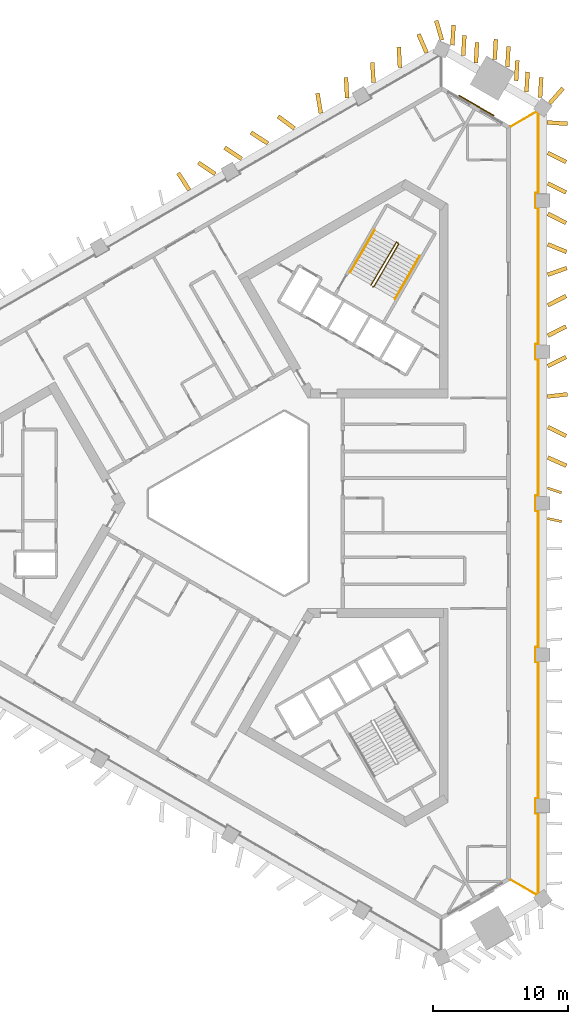
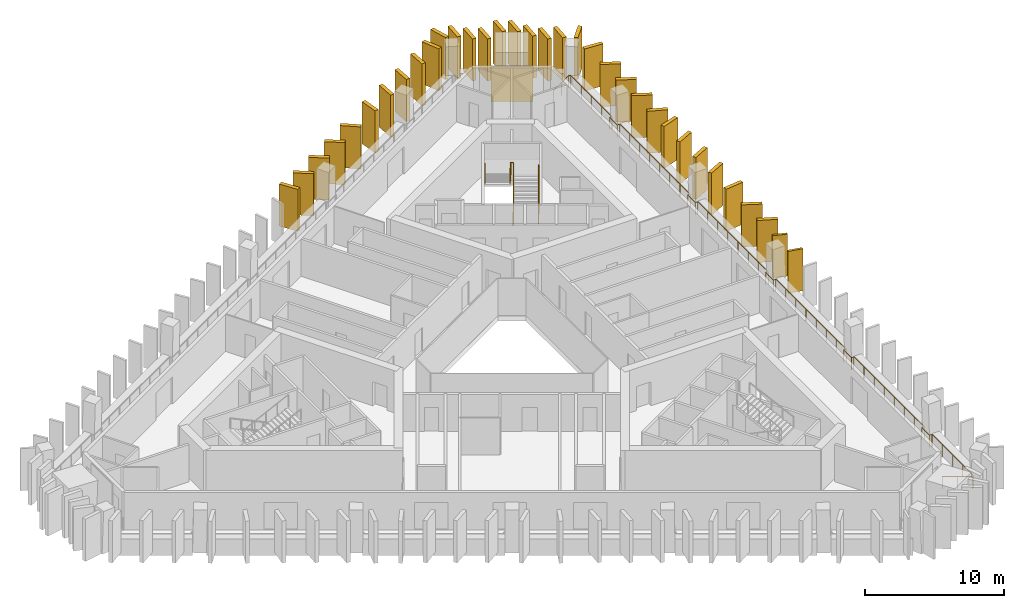
# One storey, part 10 of 10: 34 shading devices, 4 railings, 1 covering.
"""IFC4 building model written with IfcOpenShell, lengths in metres."""

from ifc_helpers import new_model, si_unit, direction, frame, frame_2d, origin, origin_2d, place, context, subcontext, project, spatial, rectangle, circle, extrude, material, layer, layer_set, type_object, element, save


model = new_model("IFC4")

# Units and contexts
model_context = context("Model", 3, precision=1e-05, world=origin(), true_north=direction((0.0, 1.0)))
body_context = subcontext(model_context, "Body", "Model", "MODEL_VIEW")
ifc_project = project(units=[si_unit("LENGTHUNIT", "METRE"), si_unit("AREAUNIT", "SQUARE_METRE"), si_unit("VOLUMEUNIT", "CUBIC_METRE"), si_unit("PLANEANGLEUNIT", "RADIAN"), si_unit("MASSUNIT", "GRAM", prefix="KILO")], contexts=[model_context])

# Site, building, storey
site_placement = place(None, origin())
site = spatial("IfcSite", under=ifc_project, at=site_placement, CompositionType="ELEMENT")
building_placement = place(site_placement, origin())
building = spatial("IfcBuilding", under=site, at=building_placement, Name="Jabali Bay Hotel Tower and Convention Centre", CompositionType="ELEMENT")
storey_placement = place(building_placement, frame((0.0, 0.0, 136.39990234375)))
storey = spatial("IfcBuildingStorey", under=building, at=storey_placement, Name="L33", CompositionType="ELEMENT", Elevation=136.39990234375)

# Railing
ifc_material_1 = material(Name="Glass", Category="glass")
railing_type_1 = type_object("IfcRailingType", Name="Loggia glass guard 1100", PredefinedType="BALUSTRADE", material=ifc_material_1)
railing_1_placement = place(storey_placement, frame((94.552001953125, 107.88232421875, 0.0)))
element("IfcRailing", 1, at=railing_1_placement, inside=storey, type_object=railing_type_1, Name="Loggia glass guard L33", PredefinedType="BALUSTRADE", context=body_context, shape_type="SweptSolid", body=[
    extrude(circle(Radius=0.02490234375, at=origin_2d()), frame((0.0, 0.0, 1.0751953125), z_axis=(0.866007213464, 0.500031505235, 0.0), x_axis=(-0.495753666391, 0.858598401702, 0.13052619222)), (0.0, 0.0, 1.0), 2.165283203125),
    extrude(circle(Radius=0.02490234375, at=origin_2d()), frame((1.875244140625, 1.082763671875, 1.0751953125), z_axis=(0.800939455023, -0.598745346025, 0.0), x_axis=(0.593622996588, 0.794087306954, 0.13052619222)), (0.0, 0.0, 1.0), 0.15576171875),
    extrude(circle(Radius=0.02490234375, at=origin_2d()), frame((2.0, 0.989501953125, 1.0751953125), z_axis=(0.0, -1.0, 0.0), x_axis=(0.991444861374, 0.0, 0.13052619222)), (0.0, 0.0, 1.0), 5.9111328125),
    extrude(circle(Radius=0.02490234375, at=origin_2d()), frame((2.0, -4.921630859375, 1.0751953125), z_axis=(-1.0, 0.0, 0.0), x_axis=(0.0, -0.991444861374, 0.13052619222)), (0.0, 0.0, 1.0), 0.2001953125),
    extrude(circle(Radius=0.02490234375, at=origin_2d()), frame((1.7998046875, -4.921630859375, 1.0751953125), z_axis=(0.0, -1.0, 0.0), x_axis=(0.991444861374, 0.0, 0.13052619222)), (0.0, 0.0, 1.0), 1.10009765625),
    extrude(circle(Radius=0.02490234375, at=origin_2d()), frame((1.7998046875, -6.021728515625, 1.0751953125), z_axis=(1.0, 0.0, 0.0), x_axis=(0.0, 0.991444861374, 0.13052619222)), (0.0, 0.0, 1.0), 0.2001953125),
    extrude(circle(Radius=0.02490234375, at=origin_2d()), frame((2.0, -6.021728515625, 1.0751953125), z_axis=(0.0, -1.0, 0.0), x_axis=(0.991444861374, 0.0, 0.13052619222)), (0.0, 0.0, 1.0), 10.105224609375),
    extrude(circle(Radius=0.02490234375, at=origin_2d()), frame((2.0, -16.126953125, 1.0751953125), z_axis=(-1.0, 0.0, 0.0), x_axis=(0.0, -0.991444861374, 0.13052619222)), (0.0, 0.0, 1.0), 0.2001953125),
    extrude(circle(Radius=0.02490234375, at=origin_2d()), frame((1.7998046875, -16.126953125, 1.0751953125), z_axis=(0.0, -1.0, 0.0), x_axis=(0.991444861374, 0.0, 0.13052619222)), (0.0, 0.0, 1.0), 1.10009765625),
    extrude(circle(Radius=0.02490234375, at=origin_2d()), frame((1.7998046875, -17.22705078125, 1.0751953125), z_axis=(1.0, 0.0, 0.0), x_axis=(0.0, 0.991444861374, 0.13052619222)), (0.0, 0.0, 1.0), 0.2001953125),
    extrude(circle(Radius=0.02490234375, at=origin_2d()), frame((2.0, -17.22705078125, 1.0751953125), z_axis=(0.0, -1.0, 0.0), x_axis=(0.991444861374, 0.0, 0.13052619222)), (0.0, 0.0, 1.0), 10.105224609375),
    extrude(circle(Radius=0.02490234375, at=origin_2d()), frame((2.0, -27.332275390625, 1.0751953125), z_axis=(-1.0, 0.0, 0.0), x_axis=(0.0, -0.991444861374, 0.13052619222)), (0.0, 0.0, 1.0), 0.2001953125),
    extrude(circle(Radius=0.02490234375, at=origin_2d()), frame((1.7998046875, -27.332275390625, 1.0751953125), z_axis=(0.0, -1.0, 0.0), x_axis=(0.991444861374, 0.0, 0.13052619222)), (0.0, 0.0, 1.0), 1.10009765625),
    extrude(circle(Radius=0.02490234375, at=origin_2d()), frame((1.7998046875, -28.432373046875, 1.0751953125), z_axis=(1.0, 0.0, 0.0), x_axis=(0.0, 0.991444861374, 0.13052619222)), (0.0, 0.0, 1.0), 0.2001953125),
    extrude(circle(Radius=0.02490234375, at=origin_2d()), frame((2.0, -28.432373046875, 1.0751953125), z_axis=(0.0, -1.0, 0.0), x_axis=(0.991444861374, 0.0, 0.13052619222)), (0.0, 0.0, 1.0), 10.105224609375),
    extrude(circle(Radius=0.02490234375, at=origin_2d()), frame((2.0, -38.53759765625, 1.0751953125), z_axis=(-1.0, 0.0, 0.0), x_axis=(0.0, -0.991444861374, 0.13052619222)), (0.0, 0.0, 1.0), 0.2001953125),
    extrude(circle(Radius=0.02490234375, at=origin_2d()), frame((1.7998046875, -38.53759765625, 1.0751953125), z_axis=(0.0, -1.0, 0.0), x_axis=(0.991444861374, 0.0, 0.13052619222)), (0.0, 0.0, 1.0), 1.10009765625),
    extrude(circle(Radius=0.02490234375, at=origin_2d()), frame((1.7998046875, -39.6376953125, 1.0751953125), z_axis=(1.0, 0.0, 0.0), x_axis=(0.0, 0.991444861374, 0.13052619222)), (0.0, 0.0, 1.0), 0.2001953125),
    extrude(circle(Radius=0.02490234375, at=origin_2d()), frame((2.0, -39.6376953125, 1.0751953125), z_axis=(0.0, -1.0, 0.0), x_axis=(0.991444861374, 0.0, 0.13052619222)), (0.0, 0.0, 1.0), 10.105224609375),
    extrude(circle(Radius=0.02490234375, at=origin_2d()), frame((2.0, -49.742919921875, 1.0751953125), z_axis=(-1.0, 0.0, 0.0), x_axis=(0.0, -0.991444861374, 0.13052619222)), (0.0, 0.0, 1.0), 0.2001953125),
    extrude(circle(Radius=0.02490234375, at=origin_2d()), frame((1.7998046875, -49.742919921875, 1.0751953125), z_axis=(0.0, -1.0, 0.0), x_axis=(0.991444861374, 0.0, 0.13052619222)), (0.0, 0.0, 1.0), 1.10009765625),
    extrude(circle(Radius=0.02490234375, at=origin_2d()), frame((1.7998046875, -50.843017578125, 1.0751953125), z_axis=(1.0, 0.0, 0.0), x_axis=(0.0, 0.991444861374, 0.13052619222)), (0.0, 0.0, 1.0), 0.2001953125),
    extrude(circle(Radius=0.02490234375, at=origin_2d()), frame((2.0, -50.843017578125, 1.0751953125), z_axis=(0.0, -1.0, 0.0), x_axis=(0.991444861374, 0.0, 0.13052619222)), (0.0, 0.0, 1.0), 5.9111328125),
    extrude(circle(Radius=0.02490234375, at=origin_2d()), frame((2.0, -56.754150390625, 1.0751953125), z_axis=(-0.800939455023, -0.598745346025, 0.0), x_axis=(0.593622996588, -0.794087306954, 0.13052619222)), (0.0, 0.0, 1.0), 0.15576171875),
    extrude(circle(Radius=0.02490234375, at=origin_2d()), frame((1.875244140625, -56.847412109375, 1.0751953125), z_axis=(-0.866007213464, 0.500031505235, 0.0), x_axis=(-0.495753666391, -0.858598401702, 0.13052619222)), (0.0, 0.0, 1.0), 2.165283203125),
    extrude(circle(Radius=0.02001953125, at=origin_2d()), origin(), (0.0, 0.0, 1.0), 1.050048828125),
    extrude(circle(Radius=0.02001953125, at=origin_2d()), frame((0.9375, 0.54150390625, 0.0)), (0.0, 0.0, 1.0), 1.050048828125),
    extrude(circle(Radius=0.02001953125, at=origin_2d()), frame((1.875244140625, 1.082763671875, 0.0)), (0.0, 0.0, 1.0), 1.050048828125),
    extrude(circle(Radius=0.02001953125, at=origin_2d()), frame((2.0, 0.989501953125, 0.0)), (0.0, 0.0, 1.0), 1.050048828125),
    extrude(circle(Radius=0.02001953125, at=origin_2d()), frame((2.0, -0.48828125, 0.0)), (0.0, 0.0, 1.0), 1.050048828125),
    extrude(circle(Radius=0.02001953125, at=origin_2d()), frame((2.0, -1.966064453125, 0.0)), (0.0, 0.0, 1.0), 1.050048828125),
    extrude(circle(Radius=0.02001953125, at=origin_2d()), frame((2.0, -3.44384765625, 0.0)), (0.0, 0.0, 1.0), 1.050048828125),
    extrude(circle(Radius=0.02001953125, at=origin_2d()), frame((2.0, -4.921630859375, 0.0)), (0.0, 0.0, 1.0), 1.050048828125),
    extrude(circle(Radius=0.02001953125, at=origin_2d()), frame((1.7998046875, -4.921630859375, 0.0)), (0.0, 0.0, 1.0), 1.050048828125),
    extrude(circle(Radius=0.02001953125, at=origin_2d()), frame((1.7998046875, -6.021728515625, 0.0)), (0.0, 0.0, 1.0), 1.050048828125),
    extrude(circle(Radius=0.02001953125, at=origin_2d()), frame((2.0, -6.021728515625, 0.0)), (0.0, 0.0, 1.0), 1.050048828125),
    extrude(circle(Radius=0.02001953125, at=origin_2d()), frame((2.0, -7.46533203125, 0.0)), (0.0, 0.0, 1.0), 1.050048828125),
    extrude(circle(Radius=0.02001953125, at=origin_2d()), frame((2.0, -8.908935546875, 0.0)), (0.0, 0.0, 1.0), 1.050048828125),
    extrude(circle(Radius=0.02001953125, at=origin_2d()), frame((2.0, -10.3525390625, 0.0)), (0.0, 0.0, 1.0), 1.050048828125),
    extrude(circle(Radius=0.02001953125, at=origin_2d()), frame((2.0, -11.796142578125, 0.0)), (0.0, 0.0, 1.0), 1.050048828125),
    extrude(circle(Radius=0.02001953125, at=origin_2d()), frame((2.0, -13.23974609375, 0.0)), (0.0, 0.0, 1.0), 1.050048828125),
    extrude(circle(Radius=0.02001953125, at=origin_2d()), frame((2.0, -14.683349609375, 0.0)), (0.0, 0.0, 1.0), 1.050048828125),
    extrude(circle(Radius=0.02001953125, at=origin_2d()), frame((2.0, -16.126953125, 0.0)), (0.0, 0.0, 1.0), 1.050048828125),
    extrude(circle(Radius=0.02001953125, at=origin_2d()), frame((1.7998046875, -16.126953125, 0.0)), (0.0, 0.0, 1.0), 1.050048828125),
    extrude(circle(Radius=0.02001953125, at=origin_2d()), frame((1.7998046875, -17.22705078125, 0.0)), (0.0, 0.0, 1.0), 1.050048828125),
    extrude(circle(Radius=0.02001953125, at=origin_2d()), frame((2.0, -17.22705078125, 0.0)), (0.0, 0.0, 1.0), 1.050048828125),
    extrude(circle(Radius=0.02001953125, at=origin_2d()), frame((2.0, -18.670654296875, 0.0)), (0.0, 0.0, 1.0), 1.050048828125),
    extrude(circle(Radius=0.02001953125, at=origin_2d()), frame((2.0, -20.1142578125, 0.0)), (0.0, 0.0, 1.0), 1.050048828125),
    extrude(circle(Radius=0.02001953125, at=origin_2d()), frame((2.0, -21.557861328125, 0.0)), (0.0, 0.0, 1.0), 1.050048828125),
    extrude(circle(Radius=0.02001953125, at=origin_2d()), frame((2.0, -23.00146484375, 0.0)), (0.0, 0.0, 1.0), 1.050048828125),
    extrude(circle(Radius=0.02001953125, at=origin_2d()), frame((2.0, -24.445068359375, 0.0)), (0.0, 0.0, 1.0), 1.050048828125),
    extrude(circle(Radius=0.02001953125, at=origin_2d()), frame((2.0, -25.888671875, 0.0)), (0.0, 0.0, 1.0), 1.050048828125),
    extrude(circle(Radius=0.02001953125, at=origin_2d()), frame((2.0, -27.332275390625, 0.0)), (0.0, 0.0, 1.0), 1.050048828125),
    extrude(circle(Radius=0.02001953125, at=origin_2d()), frame((1.7998046875, -27.332275390625, 0.0)), (0.0, 0.0, 1.0), 1.050048828125),
    extrude(circle(Radius=0.02001953125, at=origin_2d()), frame((1.7998046875, -28.432373046875, 0.0)), (0.0, 0.0, 1.0), 1.050048828125),
    extrude(circle(Radius=0.02001953125, at=origin_2d()), frame((2.0, -28.432373046875, 0.0)), (0.0, 0.0, 1.0), 1.050048828125),
    extrude(circle(Radius=0.02001953125, at=origin_2d()), frame((2.0, -29.8759765625, 0.0)), (0.0, 0.0, 1.0), 1.050048828125),
    extrude(circle(Radius=0.02001953125, at=origin_2d()), frame((2.0, -31.319580078125, 0.0)), (0.0, 0.0, 1.0), 1.050048828125),
    extrude(circle(Radius=0.02001953125, at=origin_2d()), frame((2.0, -32.76318359375, 0.0)), (0.0, 0.0, 1.0), 1.050048828125),
    extrude(circle(Radius=0.02001953125, at=origin_2d()), frame((2.0, -34.206787109375, 0.0)), (0.0, 0.0, 1.0), 1.050048828125),
    extrude(circle(Radius=0.02001953125, at=origin_2d()), frame((2.0, -35.650390625, 0.0)), (0.0, 0.0, 1.0), 1.050048828125),
    extrude(circle(Radius=0.02001953125, at=origin_2d()), frame((2.0, -37.093994140625, 0.0)), (0.0, 0.0, 1.0), 1.050048828125),
    extrude(circle(Radius=0.02001953125, at=origin_2d()), frame((2.0, -38.53759765625, 0.0)), (0.0, 0.0, 1.0), 1.050048828125),
    extrude(circle(Radius=0.02001953125, at=origin_2d()), frame((1.7998046875, -38.53759765625, 0.0)), (0.0, 0.0, 1.0), 1.050048828125),
    extrude(circle(Radius=0.02001953125, at=origin_2d()), frame((1.7998046875, -39.6376953125, 0.0)), (0.0, 0.0, 1.0), 1.050048828125),
    extrude(circle(Radius=0.02001953125, at=origin_2d()), frame((2.0, -39.6376953125, 0.0)), (0.0, 0.0, 1.0), 1.050048828125),
    extrude(circle(Radius=0.02001953125, at=origin_2d()), frame((2.0, -41.081298828125, 0.0)), (0.0, 0.0, 1.0), 1.050048828125),
    extrude(circle(Radius=0.02001953125, at=origin_2d()), frame((2.0, -42.52490234375, 0.0)), (0.0, 0.0, 1.0), 1.050048828125),
    extrude(circle(Radius=0.02001953125, at=origin_2d()), frame((2.0, -43.968505859375, 0.0)), (0.0, 0.0, 1.0), 1.050048828125),
    extrude(circle(Radius=0.02001953125, at=origin_2d()), frame((2.0, -45.412109375, 0.0)), (0.0, 0.0, 1.0), 1.050048828125),
    extrude(circle(Radius=0.02001953125, at=origin_2d()), frame((2.0, -46.855712890625, 0.0)), (0.0, 0.0, 1.0), 1.050048828125),
    extrude(circle(Radius=0.02001953125, at=origin_2d()), frame((2.0, -48.29931640625, 0.0)), (0.0, 0.0, 1.0), 1.050048828125),
    extrude(circle(Radius=0.02001953125, at=origin_2d()), frame((2.0, -49.742919921875, 0.0)), (0.0, 0.0, 1.0), 1.050048828125),
    extrude(circle(Radius=0.02001953125, at=origin_2d()), frame((1.7998046875, -49.742919921875, 0.0)), (0.0, 0.0, 1.0), 1.050048828125),
    extrude(circle(Radius=0.02001953125, at=origin_2d()), frame((1.7998046875, -50.843017578125, 0.0)), (0.0, 0.0, 1.0), 1.050048828125),
    extrude(circle(Radius=0.02001953125, at=origin_2d()), frame((2.0, -50.843017578125, 0.0)), (0.0, 0.0, 1.0), 1.050048828125),
    extrude(circle(Radius=0.02001953125, at=origin_2d()), frame((2.0, -52.32080078125, 0.0)), (0.0, 0.0, 1.0), 1.050048828125),
    extrude(circle(Radius=0.02001953125, at=origin_2d()), frame((2.0, -53.798583984375, 0.0)), (0.0, 0.0, 1.0), 1.050048828125),
    extrude(circle(Radius=0.02001953125, at=origin_2d()), frame((2.0, -55.2763671875, 0.0)), (0.0, 0.0, 1.0), 1.050048828125),
    extrude(circle(Radius=0.02001953125, at=origin_2d()), frame((2.0, -56.754150390625, 0.0)), (0.0, 0.0, 1.0), 1.050048828125),
    extrude(circle(Radius=0.02001953125, at=origin_2d()), frame((1.875244140625, -56.847412109375, 0.0)), (0.0, 0.0, 1.0), 1.050048828125),
    extrude(circle(Radius=0.02001953125, at=origin_2d()), frame((0.9375, -56.30615234375, 0.0)), (0.0, 0.0, 1.0), 1.050048828125),
    extrude(circle(Radius=0.02001953125, at=origin_2d()), frame((0.0, -55.7646484375, 0.0)), (0.0, 0.0, 1.0), 1.050048828125),
])

# Shading devices
ifc_material_2 = material(Name="Precast concrete C60", Category="concrete")
ifc_layer_1 = layer(ifc_material_2, 0.179931640625)
ifc_layer_set_1 = layer_set([ifc_layer_1], Name="Precast concrete C60")
shading_device_type_1 = type_object("IfcShadingDeviceType", Name="Precast fin 3680 x 1100", PredefinedType="USERDEFINED", material=ifc_layer_set_1)
for number, where, z_axis, x_axis, name in (
    (2, (97.212890625, 78.873291015625, 0.010009765625), (0.0, 0.0, 1.0), (0.978190422931, -0.207710126103, 0.0), "Fin L33 012"),
    (3, (97.22314453125, 81.126708984375, 0.010009765625), (0.0, 0.0, 1.0), (0.947253291451, -0.320485883987, 0.0), "Fin L33 013"),
):
    element("IfcShadingDevice", number, at=place(storey_placement, frame(where, z_axis=z_axis, x_axis=x_axis)), inside=storey, type_object=shading_device_type_1, Name=name, ObjectType="FIN", PredefinedType="USERDEFINED", context=body_context, shape_type="SweptSolid", body=[
        extrude(rectangle(XDim=1.10009765625, YDim=0.179931640625, at=frame_2d((0.550048828125, 0.0))), origin(), (0.0, 0.0, 1.0), 3.68017578125),
    ])
ifc_layer_2 = layer(ifc_material_2, 0.300048828125)
ifc_layer_set_2 = layer_set([ifc_layer_2], Name="Precast concrete C60")
shading_device_type_2 = type_object("IfcShadingDeviceType", Name="Precast fin 3680 x 1500", PredefinedType="USERDEFINED", material=ifc_layer_set_2)
for number, where, z_axis, x_axis, name in (
    (4, (97.255126953125, 83.38037109375, 0.010009765625), (0.0, 0.0, 1.0), (0.914407920686, -0.404793965601, 0.0), "Fin L33 014"),
    (5, (97.260009765625, 85.634033203125, 0.010009765625), (0.0, 0.0, 1.0), (0.899224705973, -0.437487060571, 0.0), "Fin L33 015"),
    (6, (97.211669921875, 87.8876953125, 0.010009765625), (0.0, 0.0, 1.0), (0.993375389287, 0.114914472364, 0.0), "Fin L33 016"),
    (7, (97.26171875, 90.14111328125, 0.010009765625), (0.0, 0.0, 1.0), (0.893579211785, 0.448905549381, 0.0), "Fin L33 017"),
):
    element("IfcShadingDevice", number, at=place(storey_placement, frame(where, z_axis=z_axis, x_axis=x_axis)), inside=storey, type_object=shading_device_type_2, Name=name, ObjectType="FIN", PredefinedType="USERDEFINED", context=body_context, shape_type="SweptSolid", body=[
        extrude(rectangle(XDim=1.5, YDim=0.300048828125, at=frame_2d((0.75, 0.0))), origin(), (0.0, 0.0, 1.0), 3.68017578125),
    ])
shading_device_1_placement = place(storey_placement, frame((97.26171875, 92.394775390625, 0.010009765625), z_axis=(0.0, 0.0, 1.0), x_axis=(0.893317571028, 0.449425986445, 0.0)))
element("IfcShadingDevice", 8, at=shading_device_1_placement, inside=storey, type_object=shading_device_type_2, Name="Fin L33 018", ObjectType="FIN", PredefinedType="USERDEFINED", context=body_context, shape_type="SweptSolid", body=[
    extrude(rectangle(XDim=1.499755859375, YDim=0.300048828125, at=frame_2d((0.75, 0.0))), origin(), (0.0, 0.0, 1.0), 3.68017578125),
])
for number, where, z_axis, x_axis, name in (
    (9, (97.26171875, 94.6484375, 0.010009765625), (0.0, 0.0, 1.0), (0.893252214826, 0.449555870508, 0.0), "Fin L33 019"),
    (10, (97.243896484375, 96.902099609375, 0.010009765625), (0.0, 0.0, 1.0), (0.943670434179, 0.330886856276, 0.0), "Fin L33 020"),
    (11, (97.2509765625, 99.155517578125, 0.010009765625), (0.0, 0.0, 1.0), (0.925769760332, -0.378087755494, 0.0), "Fin L33 021"),
    (12, (97.26171875, 101.4091796875, 0.010009765625), (0.0, 0.0, 1.0), (0.893186849307, -0.449685726063, 0.0), "Fin L33 022"),
    (13, (97.26171875, 103.662841796875, 0.010009765625), (0.0, 0.0, 1.0), (0.893186849307, -0.449685726063, 0.0), "Fin L33 023"),
    (14, (97.26171875, 105.91650390625, 0.010009765625), (0.0, 0.0, 1.0), (0.893186849307, -0.449685726063, 0.0), "Fin L33 024"),
    (15, (97.204345703125, 108.169921875, 0.010009765625), (0.0, 0.0, 1.0), (0.997749001713, -0.06705914987, 0.0), "Fin L33 025"),
    (16, (96.68603515625, 110.0029296875, 0.010009765625), (0.0, 0.0, 1.0), (0.057290813732, 0.998357532481, 0.0), "Fin L33 026"),
    (17, (95.67626953125, 110.413330078125, 0.010009765625), (0.0, 0.0, 1.0), (0.057290813732, 0.998357532481, 0.0), "Fin L33 027"),
    (18, (94.91357421875, 111.251953125, 0.010009765625), (0.0, 0.0, 1.0), (0.057290813732, 0.998357532481, 0.0), "Fin L33 028"),
    (19, (94.26220703125, 112.283447265625, 0.010009765625), (0.0, 0.0, 1.0), (0.057290813732, 0.998357532481, 0.0), "Fin L33 029"),
    (20, (93.3271484375, 112.8232421875, 0.010009765625), (0.0, 0.0, 1.0), (0.057128587682, 0.99836682861, 0.0), "Fin L33 030"),
    (21, (91.935791015625, 112.572998046875, 0.010009765625), (0.0, 0.0, 1.0), (0.057128587682, 0.99836682861, 0.0), "Fin L33 031"),
    (22, (91.000732421875, 113.11279296875, 0.010009765625), (0.0, 0.0, 1.0), (0.057128587682, 0.99836682861, 0.0), "Fin L33 032"),
    (23, (90.19775390625, 113.882080078125, 0.010009765625), (0.0, 0.0, 1.0), (0.057290813732, 0.998357532481, 0.0), "Fin L33 033"),
    (24, (88.290283203125, 113.320556640625, 0.010009765625), (0.0, 0.0, 1.0), (-0.39892249995, 0.916984644928, 0.0), "Fin L33 034"),
):
    element("IfcShadingDevice", number, at=place(storey_placement, frame(where, z_axis=z_axis, x_axis=x_axis)), inside=storey, type_object=shading_device_type_2, Name=name, ObjectType="FIN", PredefinedType="USERDEFINED", context=body_context, shape_type="SweptSolid", body=[
        extrude(rectangle(XDim=1.5, YDim=0.300048828125, at=frame_2d((0.75, 0.0))), origin(), (0.0, 0.0, 1.0), 3.68017578125),
    ])
shading_device_2_placement = place(storey_placement, frame((86.3134765625, 112.237548828125, 0.010009765625), z_axis=(0.0, 0.0, 1.0), x_axis=(-0.057300124465, 0.998356998141, 0.0)))
element("IfcShadingDevice", 25, at=shading_device_2_placement, inside=storey, type_object=shading_device_type_2, Name="Fin L33 035", ObjectType="FIN", PredefinedType="USERDEFINED", context=body_context, shape_type="SweptSolid", body=[
    extrude(rectangle(XDim=1.499755859375, YDim=0.300048828125, at=frame_2d((0.75, 0.0))), origin(), (0.0, 0.0, 1.0), 3.68017578125),
])
for number, where, z_axis, x_axis, name in (
    (26, (84.36181640625, 111.110595703125, 0.010009765625), (0.0, 0.0, 1.0), (-0.057290813732, 0.998357532481, 0.0), "Fin L33 036"),
    (27, (82.41015625, 109.98388671875, 0.010009765625), (0.0, 0.0, 1.0), (-0.057290813732, 0.998357532481, 0.0), "Fin L33 037"),
    (28, (80.465576171875, 108.844482421875, 0.010009765625), (0.0, 0.0, 1.0), (-0.162445413522, 0.986717531833, 0.0), "Fin L33 038"),
):
    element("IfcShadingDevice", number, at=place(storey_placement, frame(where, z_axis=z_axis, x_axis=x_axis)), inside=storey, type_object=shading_device_type_2, Name=name, ObjectType="FIN", PredefinedType="USERDEFINED", context=body_context, shape_type="SweptSolid", body=[
        extrude(rectangle(XDim=1.5, YDim=0.300048828125, at=frame_2d((0.75, 0.0))), origin(), (0.0, 0.0, 1.0), 3.68017578125),
    ])
shading_device_3_placement = place(storey_placement, frame((78.510498046875, 107.7236328125, 0.010009765625), z_axis=(0.0, 0.0, 1.0), x_axis=(-0.803288945842, 0.595589514253, 0.0)))
element("IfcShadingDevice", 29, at=shading_device_3_placement, inside=storey, type_object=shading_device_type_2, Name="Fin L33 039", ObjectType="FIN", PredefinedType="USERDEFINED", context=body_context, shape_type="SweptSolid", body=[
    extrude(rectangle(XDim=1.499755859375, YDim=0.300048828125, at=frame_2d((0.75, 0.0))), origin(), (0.0, 0.0, 1.0), 3.68017578125),
])
for number, where, z_axis, x_axis, name in (
    (30, (76.55517578125, 106.603271484375, 0.010009765625), (0.0, 0.0, 1.0), (-0.835415115663, 0.549619490667, 0.0), "Fin L33 040"),
    (31, (74.603515625, 105.47607421875, 0.010009765625), (0.0, 0.0, 1.0), (-0.833674346818, 0.552256356648, 0.0), "Fin L33 041"),
    (32, (72.65283203125, 104.347900390625, 0.010009765625), (0.0, 0.0, 1.0), (-0.826932556178, 0.562301118204, 0.0), "Fin L33 042"),
    (33, (70.729736328125, 103.171630859375, 0.010009765625), (0.0, 0.0, 1.0), (-0.545274379459, 0.838257628123, 0.0), "Fin L33 043"),
    (34, (97.384521484375, 109.575439453125, 0.010009765625), (0.0, 0.0, 1.0), (0.66291797017, 0.748692036038, 0.0), "Fin L33 103"),
):
    element("IfcShadingDevice", number, at=place(storey_placement, frame(where, z_axis=z_axis, x_axis=x_axis)), inside=storey, type_object=shading_device_type_2, Name=name, ObjectType="FIN", PredefinedType="USERDEFINED", context=body_context, shape_type="SweptSolid", body=[
        extrude(rectangle(XDim=1.5, YDim=0.300048828125, at=frame_2d((0.75, 0.0))), origin(), (0.0, 0.0, 1.0), 3.68017578125),
    ])
shading_device_4_placement = place(storey_placement, frame((89.4208984375, 114.263671875, 0.010009765625), z_axis=(0.0, 0.0, 1.0), x_axis=(-0.280800011863, 0.959766301418, 0.0)))
element("IfcShadingDevice", 35, at=shading_device_4_placement, inside=storey, type_object=shading_device_type_2, Name="Fin L33 104", ObjectType="FIN", PredefinedType="USERDEFINED", context=body_context, shape_type="SweptSolid", body=[
    extrude(rectangle(XDim=1.499755859375, YDim=0.300048828125, at=frame_2d((0.75, 0.0))), origin(), (0.0, 0.0, 1.0), 3.68017578125),
])

# Covering
ifc_material_3 = material(Name="Precast concrete C40/50", Category="concrete")
ifc_layer_3 = layer(ifc_material_3, 0.080078125)
ifc_layer_set_3 = layer_set([ifc_layer_3], Name="Precast concrete C40/50")
covering_type = type_object("IfcCoveringType", Name="Relief panel 3000 x 3050", PredefinedType="CLADDING", material=ifc_layer_set_3)
covering_placement = place(storey_placement, frame((91.9814453125, 109.41259765625, 0.10009765625), z_axis=(0.0, 0.0, 1.0), x_axis=(0.866025390712, -0.500000022642, 0.0)))
element("IfcCovering", 36, at=covering_placement, inside=storey, type_object=covering_type, Name="Relief panel L33", PredefinedType="CLADDING", context=body_context, shape_type="SweptSolid", body=[
    extrude(rectangle(XDim=3.0, YDim=0.080078125, at=origin_2d()), origin(), (0.0, 0.0, 1.0), 3.050048828125),
])

# Railings
ifc_material_4 = material(Name="Steel Q355B", Category="steel")
railing_type_2 = type_object("IfcRailingType", Name="Stair guard 1100", PredefinedType="GUARDRAIL", material=ifc_material_4)
railing_2_placement = place(storey_placement, frame((84.329833984375, 96.010009765625, 0.0)))
element("IfcRailing", 37, at=railing_2_placement, inside=storey, type_object=railing_type_2, Name="L33 ST2 stair guard 1", PredefinedType="GUARDRAIL", context=body_context, shape_type="SweptSolid", body=[
    extrude(circle(Radius=0.02392578125, at=origin_2d()), frame((0.0, 0.0, 1.076171875), z_axis=(0.455547195254, 0.122021570157, 0.88180921367), x_axis=(-0.258736085224, 0.965948051503, 0.0)), (0.0, 0.0, 1.0), 0.150146484375),
    extrude(circle(Radius=0.02392578125, at=origin_2d()), frame((0.068359375, 0.018310546875, 1.20849609375), z_axis=(0.452190331055, 0.783190014029, 0.426775475427), x_axis=(-0.866018046521, 0.500012742938, 0.0)), (0.0, 0.0, 1.0), 4.02490234375),
    extrude(circle(Radius=0.02392578125, at=origin_2d()), frame((1.888427734375, 3.170654296875, 2.92626953125), z_axis=(-0.718850276695, 0.695164929852, 0.0), x_axis=(-0.695164929852, -0.718850276695, 0.0)), (0.0, 0.0, 1.0), 0.2060546875),
    extrude(circle(Radius=0.02392578125, at=origin_2d()), frame((1.740234375, 3.31396484375, 2.92626953125), z_axis=(-0.457445338502, -0.768046879266, 0.448160410493), x_axis=(0.859157857954, -0.511710636118, 0.0)), (0.0, 0.0, 1.0), 4.128173828125),
    extrude(circle(Radius=0.02099609375, at=origin_2d()), origin(), (0.0, 0.0, 1.0), 1.052001953125),
    extrude(circle(Radius=0.02099609375, at=origin_2d()), frame((0.068359375, 0.018310546875, 0.13232421875)), (0.0, 0.0, 1.0), 1.052001953125),
    extrude(circle(Radius=0.02099609375, at=origin_2d()), frame((0.5234375, 0.806396484375, 0.561767578125)), (0.0, 0.0, 1.0), 1.052001953125),
    extrude(circle(Radius=0.02099609375, at=origin_2d()), frame((0.978515625, 1.594482421875, 0.9912109375)), (0.0, 0.0, 1.0), 1.052001953125),
    extrude(circle(Radius=0.02099609375, at=origin_2d()), frame((1.433349609375, 2.382568359375, 1.420654296875)), (0.0, 0.0, 1.0), 1.052001953125),
    extrude(circle(Radius=0.02099609375, at=origin_2d()), frame((1.888427734375, 3.170654296875, 1.85009765625)), (0.0, 0.0, 1.0), 1.052001953125),
    extrude(circle(Radius=0.02099609375, at=origin_2d()), frame((1.740234375, 3.31396484375, 1.85009765625)), (0.0, 0.0, 1.0), 1.052001953125),
    extrude(circle(Radius=0.02099609375, at=origin_2d()), frame((1.26806640625, 2.521240234375, 2.3125)), (0.0, 0.0, 1.0), 1.052001953125),
    extrude(circle(Radius=0.02099609375, at=origin_2d()), frame((0.7958984375, 1.728515625, 2.775146484375)), (0.0, 0.0, 1.0), 1.052001953125),
    extrude(circle(Radius=0.02099609375, at=origin_2d()), frame((0.323974609375, 0.93603515625, 3.23779296875)), (0.0, 0.0, 1.0), 1.052001953125),
    extrude(circle(Radius=0.02099609375, at=origin_2d()), frame((-0.148193359375, 0.143310546875, 3.7001953125)), (0.0, 0.0, 1.0), 1.052001953125),
])
railing_type_3 = type_object("IfcRailingType", Name="Stair handrail 900", PredefinedType="HANDRAIL", material=ifc_material_4)
railing_3_placement = place(storey_placement, frame((85.95703125, 95.128173828125, 0.13232421875)))
element("IfcRailing", 38, at=railing_3_placement, inside=storey, type_object=railing_type_3, Name="L33 ST2 stair handrail 1", PredefinedType="HANDRAIL", context=body_context, shape_type="SweptSolid", body=[
    extrude(circle(Radius=0.02392578125, at=origin_2d()), frame((0.0, 0.0, 0.8759765625), z_axis=(0.452190331055, 0.783190014029, 0.426775475427), x_axis=(-0.866018046521, 0.500012742938, 0.0)), (0.0, 0.0, 1.0), 4.02490234375),
    extrude(circle(Radius=0.02099609375, at=origin_2d()), origin(), (0.0, 0.0, 1.0), 0.851806640625),
    extrude(circle(Radius=0.02099609375, at=origin_2d()), frame((0.455078125, 0.7880859375, 0.429443359375)), (0.0, 0.0, 1.0), 0.851806640625),
    extrude(circle(Radius=0.02099609375, at=origin_2d()), frame((0.91015625, 1.576171875, 0.85888671875)), (0.0, 0.0, 1.0), 0.851806640625),
    extrude(circle(Radius=0.02099609375, at=origin_2d()), frame((1.364990234375, 2.3642578125, 1.288330078125)), (0.0, 0.0, 1.0), 0.851806640625),
    extrude(circle(Radius=0.02099609375, at=origin_2d()), frame((1.820068359375, 3.15234375, 1.7177734375)), (0.0, 0.0, 1.0), 0.851806640625),
])
railing_4_placement = place(storey_placement, frame((84.44287109375, 100.20556640625, 1.982177734375)))
element("IfcRailing", 39, at=railing_4_placement, inside=storey, type_object=railing_type_3, Name="L33 ST2 stair handrail 2", PredefinedType="HANDRAIL", context=body_context, shape_type="SweptSolid", body=[
    extrude(circle(Radius=0.02392578125, at=origin_2d()), frame((0.0, 0.0, 0.8759765625), z_axis=(-0.45217862506, -0.783169739339, 0.426825081763), x_axis=(0.866018046521, -0.500012742938, 0.0)), (0.0, 0.0, 1.0), 4.025146484375),
    extrude(circle(Radius=0.02099609375, at=origin_2d()), origin(), (0.0, 0.0, 1.0), 0.851806640625),
    extrude(circle(Radius=0.02099609375, at=origin_2d()), frame((-0.455078125, -0.7880859375, 0.429443359375)), (0.0, 0.0, 1.0), 0.851806640625),
    extrude(circle(Radius=0.02099609375, at=origin_2d()), frame((-0.91015625, -1.576171875, 0.85888671875)), (0.0, 0.0, 1.0), 0.851806640625),
    extrude(circle(Radius=0.02099609375, at=origin_2d()), frame((-1.364990234375, -2.3642578125, 1.28857421875)), (0.0, 0.0, 1.0), 0.851806640625),
    extrude(circle(Radius=0.02099609375, at=origin_2d()), frame((-1.820068359375, -3.15234375, 1.718017578125)), (0.0, 0.0, 1.0), 0.851806640625),
])

save(model, "model.ifc")
